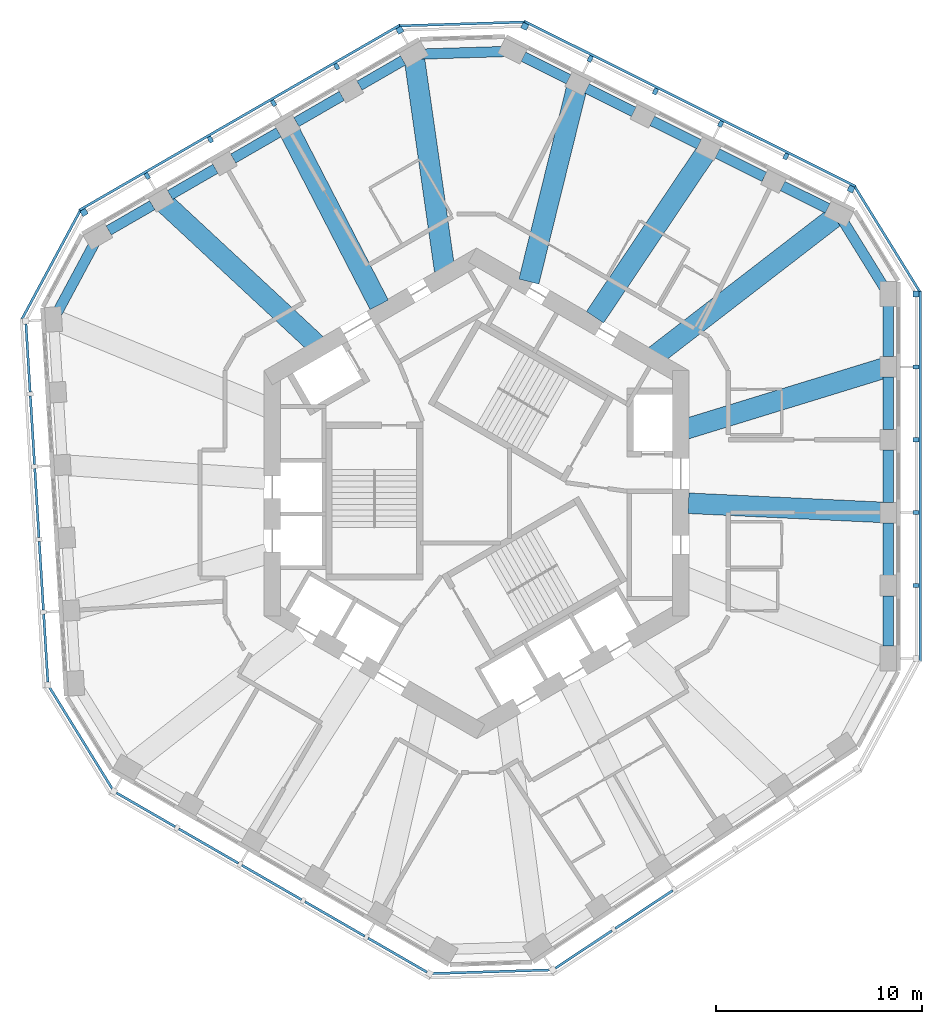
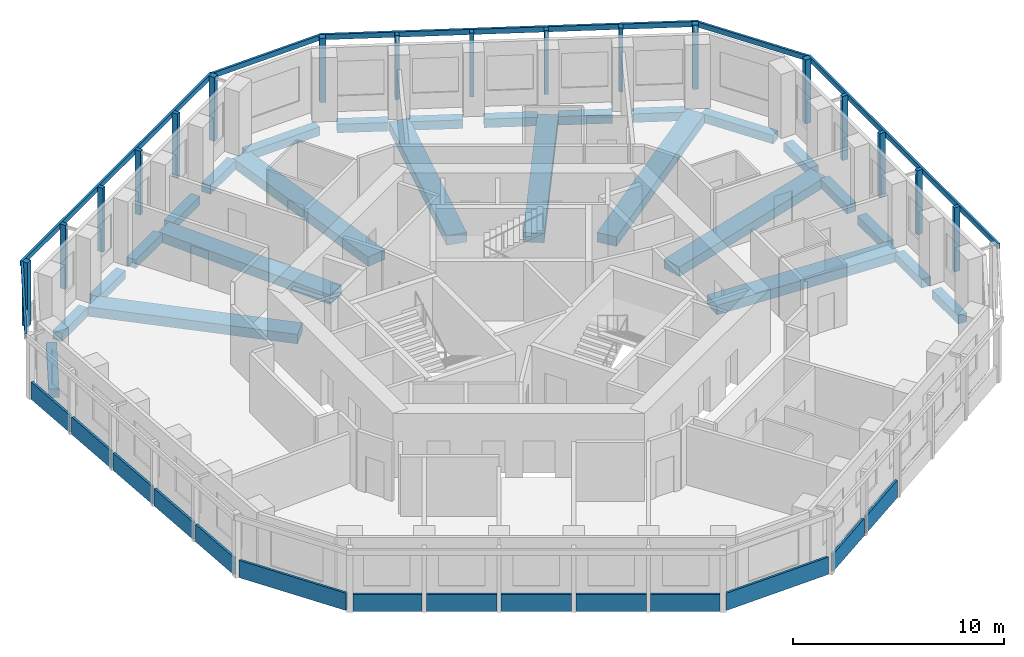
# One storey, part 2 of 11: 26 beams, 23 members, 14 plates, 11 elements without a shape of their own.
"""IFC4 building model written with IfcOpenShell, lengths in metres."""

from ifc_helpers import new_model, si_unit, direction, frame, origin, origin_2d, place, context, subcontext, project, spatial, rectangle, extrude, material, layer, layer_set, material_profile, profile_set, type_object, element, aggregate, save


model = new_model("IFC4")

# Units and contexts
model_context = context("Model", 3, precision=1e-05, world=origin(), true_north=direction((0.0, 1.0)))
body_context = subcontext(model_context, "Body", "Model", "MODEL_VIEW")
ifc_project = project(units=[si_unit("LENGTHUNIT", "METRE"), si_unit("AREAUNIT", "SQUARE_METRE"), si_unit("VOLUMEUNIT", "CUBIC_METRE"), si_unit("PLANEANGLEUNIT", "RADIAN"), si_unit("MASSUNIT", "GRAM", prefix="KILO")], contexts=[model_context])

# Site, building, storey
site_placement = place(None, origin())
site = spatial("IfcSite", under=ifc_project, at=site_placement, CompositionType="ELEMENT")
building_placement = place(site_placement, origin())
building = spatial("IfcBuilding", under=site, at=building_placement, Name="Vanh Sen Convention Tower", CompositionType="ELEMENT")
storey_placement = place(building_placement, frame((0.0, 0.0, 225.39990234375)))
storey = spatial("IfcBuildingStorey", under=building, at=storey_placement, Name="L55", CompositionType="ELEMENT", Elevation=225.39990234375)

# Curtain wall, member
ifc_material_1 = material(Name="Concrete C50/60", Category="concrete")
curtain_wall_type = type_object("IfcCurtainWallType", Name="Outer skin office zone", PredefinedType="NOTDEFINED", material=ifc_material_1)
curtain_wall_1_placement = place(storey_placement, origin())
curtain_wall_1 = element("IfcCurtainWall", 1, at=curtain_wall_1_placement, inside=storey, type_object=curtain_wall_type, Name="OUTER SKIN E L55", PredefinedType="NOTDEFINED")
ifc_material_profile_1 = material_profile(ifc_material_1, rectangle(XDim=0.300048828125, YDim=0.300048828125, at=origin_2d()), Name="Outer skin precast corner fin 300 x 300")
ifc_profile_set_1 = profile_set([ifc_material_profile_1], Name="Concrete C50/60")
member_type_1 = type_object("IfcMemberType", Name="Outer skin precast corner fin 300 x 300", PredefinedType="MULLION", material=ifc_profile_set_1)
member_1_placement = place(storey_placement, frame((21.300048828125, 9.665283203125, 0.0), z_axis=(0.0, 0.0, 1.0), x_axis=(0.0, 1.0, 0.0)))
member_1 = element("IfcMember", 2, at=member_1_placement, type_object=member_type_1, Name="OUTER SKIN CORNER FIN 6 E L55", PredefinedType="MULLION", context=body_context, shape_type="SweptSolid", body=[
    extrude(rectangle(XDim=0.300048828125, YDim=0.300048828125, at=origin_2d()), origin(), (0.0, 0.0, 1.0), 3.7001953125),
])

# Curtain wall, members
curtain_wall_2_placement = place(storey_placement, origin())
curtain_wall_2 = element("IfcCurtainWall", 3, at=curtain_wall_2_placement, inside=storey, type_object=curtain_wall_type, Name="OUTER SKIN NE L55", PredefinedType="NOTDEFINED")
member_2_placement = place(storey_placement, frame((18.15380859375, 14.74951171875, 0.0), z_axis=(0.0, 0.0, 1.0), x_axis=(-0.894934361602, 0.44619781311, 0.0)))
member_2 = element("IfcMember", 4, at=member_2_placement, type_object=member_type_1, Name="OUTER SKIN CORNER FIN 1 NE L55", PredefinedType="MULLION", context=body_context, shape_type="SweptSolid", body=[
    extrude(rectangle(XDim=0.300048828125, YDim=0.300048828125, at=origin_2d()), origin(), (0.0, 0.0, 1.0), 3.7001953125),
])
member_3_placement = place(storey_placement, frame((2.342041015625, 22.633056640625, 0.0), z_axis=(0.0, 0.0, 1.0), x_axis=(-0.894934361602, 0.44619781311, 0.0)))
member_3 = element("IfcMember", 5, at=member_3_placement, type_object=member_type_1, Name="OUTER SKIN CORNER FIN 6 NE L55", PredefinedType="MULLION", context=body_context, shape_type="SweptSolid", body=[
    extrude(rectangle(XDim=0.300048828125, YDim=0.300048828125, at=origin_2d()), origin(), (0.0, 0.0, 1.0), 3.7001953125),
])

curtain_wall_3_placement = place(storey_placement, origin())
curtain_wall_3 = element("IfcCurtainWall", 6, at=curtain_wall_3_placement, inside=storey, type_object=curtain_wall_type, Name="OUTER SKIN NW L55", PredefinedType="NOTDEFINED")
member_4_placement = place(storey_placement, frame((-3.719482421875, 22.44775390625, 0.0), z_axis=(0.0, 0.0, 1.0), x_axis=(-0.866025403784, -0.5, 0.0)))
member_4 = element("IfcMember", 7, at=member_4_placement, type_object=member_type_1, Name="OUTER SKIN CORNER FIN 1 NW L55", PredefinedType="MULLION", context=body_context, shape_type="SweptSolid", body=[
    extrude(rectangle(XDim=0.300048828125, YDim=0.300048828125, at=origin_2d()), origin(), (0.0, 0.0, 1.0), 3.7001953125),
])
member_5_placement = place(storey_placement, frame((-19.0205078125, 13.613525390625, 0.0), z_axis=(0.0, 0.0, 1.0), x_axis=(-0.866025403784, -0.5, 0.0)))
member_5 = element("IfcMember", 8, at=member_5_placement, type_object=member_type_1, Name="OUTER SKIN CORNER FIN 6 NW L55", PredefinedType="MULLION", context=body_context, shape_type="SweptSolid", body=[
    extrude(rectangle(XDim=0.300048828125, YDim=0.300048828125, at=origin_2d()), origin(), (0.0, 0.0, 1.0), 3.7001953125),
])

# Member
ifc_material_profile_2 = material_profile(ifc_material_1, rectangle(XDim=0.199951171875, YDim=0.300048828125, at=origin_2d()), Name="Outer skin precast fin 200 x 300")
ifc_profile_set_2 = profile_set([ifc_material_profile_2], Name="Concrete C50/60")
member_type_2 = type_object("IfcMemberType", Name="Outer skin precast fin 200 x 300", PredefinedType="MULLION", material=ifc_profile_set_2)
member_6_placement = place(storey_placement, frame((21.300048828125, -4.46923828125, 0.0), z_axis=(0.0, 0.0, 1.0), x_axis=(0.0, 1.0, 0.0)))
member_6 = element("IfcMember", 9, at=member_6_placement, type_object=member_type_2, Name="OUTER SKIN fin 2 E L55", PredefinedType="MULLION", context=body_context, shape_type="SweptSolid", body=[
    extrude(rectangle(XDim=0.199951171875, YDim=0.300048828125, at=origin_2d()), origin(), (0.0, 0.0, 1.0), 3.7001953125),
])

member_7_placement = place(storey_placement, frame((21.300048828125, -0.935546875, 0.0), z_axis=(0.0, 0.0, 1.0), x_axis=(0.0, 1.0, 0.0)))
member_7 = element("IfcMember", 10, at=member_7_placement, type_object=member_type_2, Name="OUTER SKIN fin 3 E L55", PredefinedType="MULLION", context=body_context, shape_type="SweptSolid", body=[
    extrude(rectangle(XDim=0.199951171875, YDim=0.300048828125, at=origin_2d()), origin(), (0.0, 0.0, 1.0), 3.7001953125),
])

member_8_placement = place(storey_placement, frame((21.300048828125, 2.59814453125, 0.0), z_axis=(0.0, 0.0, 1.0), x_axis=(0.0, 1.0, 0.0)))
member_8 = element("IfcMember", 11, at=member_8_placement, type_object=member_type_2, Name="OUTER SKIN fin 4 E L55", PredefinedType="MULLION", context=body_context, shape_type="SweptSolid", body=[
    extrude(rectangle(XDim=0.199951171875, YDim=0.300048828125, at=origin_2d()), origin(), (0.0, 0.0, 1.0), 3.7001953125),
])

member_9_placement = place(storey_placement, frame((21.300048828125, 6.131591796875, 0.0), z_axis=(0.0, 0.0, 1.0), x_axis=(0.0, 1.0, 0.0)))
member_9 = element("IfcMember", 12, at=member_9_placement, type_object=member_type_2, Name="OUTER SKIN fin 5 E L55", PredefinedType="MULLION", context=body_context, shape_type="SweptSolid", body=[
    extrude(rectangle(XDim=0.199951171875, YDim=0.300048828125, at=origin_2d()), origin(), (0.0, 0.0, 1.0), 3.7001953125),
])

member_10_placement = place(storey_placement, frame((14.99169921875, 16.326171875, 0.0), z_axis=(0.0, 0.0, 1.0), x_axis=(-0.894934361602, 0.44619781311, 0.0)))
member_10 = element("IfcMember", 13, at=member_10_placement, type_object=member_type_2, Name="OUTER SKIN fin 2 NE L55", PredefinedType="MULLION", context=body_context, shape_type="SweptSolid", body=[
    extrude(rectangle(XDim=0.199951171875, YDim=0.300048828125, at=origin_2d()), origin(), (0.0, 0.0, 1.0), 3.7001953125),
])

member_11_placement = place(storey_placement, frame((11.8291015625, 17.90283203125, 0.0), z_axis=(0.0, 0.0, 1.0), x_axis=(-0.894934361602, 0.44619781311, 0.0)))
member_11 = element("IfcMember", 14, at=member_11_placement, type_object=member_type_2, Name="OUTER SKIN fin 3 NE L55", PredefinedType="MULLION", context=body_context, shape_type="SweptSolid", body=[
    extrude(rectangle(XDim=0.199951171875, YDim=0.300048828125, at=origin_2d()), origin(), (0.0, 0.0, 1.0), 3.7001953125),
])

member_12_placement = place(storey_placement, frame((8.666748046875, 19.4794921875, 0.0), z_axis=(0.0, 0.0, 1.0), x_axis=(-0.894934361602, 0.44619781311, 0.0)))
member_12 = element("IfcMember", 15, at=member_12_placement, type_object=member_type_2, Name="OUTER SKIN fin 4 NE L55", PredefinedType="MULLION", context=body_context, shape_type="SweptSolid", body=[
    extrude(rectangle(XDim=0.199951171875, YDim=0.300048828125, at=origin_2d()), origin(), (0.0, 0.0, 1.0), 3.7001953125),
])

member_13_placement = place(storey_placement, frame((5.50439453125, 21.056396484375, 0.0), z_axis=(0.0, 0.0, 1.0), x_axis=(-0.894934361602, 0.44619781311, 0.0)))
member_13 = element("IfcMember", 16, at=member_13_placement, type_object=member_type_2, Name="OUTER SKIN fin 5 NE L55", PredefinedType="MULLION", context=body_context, shape_type="SweptSolid", body=[
    extrude(rectangle(XDim=0.199951171875, YDim=0.300048828125, at=origin_2d()), origin(), (0.0, 0.0, 1.0), 3.7001953125),
])

member_14_placement = place(storey_placement, frame((-6.779541015625, 20.680908203125, 0.0), z_axis=(0.0, 0.0, 1.0), x_axis=(-0.866025403784, -0.5, 0.0)))
member_14 = element("IfcMember", 17, at=member_14_placement, type_object=member_type_2, Name="OUTER SKIN fin 2 NW L55", PredefinedType="MULLION", context=body_context, shape_type="SweptSolid", body=[
    extrude(rectangle(XDim=0.199951171875, YDim=0.300048828125, at=origin_2d()), origin(), (0.0, 0.0, 1.0), 3.7001953125),
])

member_15_placement = place(storey_placement, frame((-9.83984375, 18.9140625, 0.0), z_axis=(0.0, 0.0, 1.0), x_axis=(-0.866025403784, -0.5, 0.0)))
member_15 = element("IfcMember", 18, at=member_15_placement, type_object=member_type_2, Name="OUTER SKIN fin 3 NW L55", PredefinedType="MULLION", context=body_context, shape_type="SweptSolid", body=[
    extrude(rectangle(XDim=0.199951171875, YDim=0.300048828125, at=origin_2d()), origin(), (0.0, 0.0, 1.0), 3.7001953125),
])

member_16_placement = place(storey_placement, frame((-12.89990234375, 17.147216796875, 0.0), z_axis=(0.0, 0.0, 1.0), x_axis=(-0.866025403784, -0.5, 0.0)))
member_16 = element("IfcMember", 19, at=member_16_placement, type_object=member_type_2, Name="OUTER SKIN fin 4 NW L55", PredefinedType="MULLION", context=body_context, shape_type="SweptSolid", body=[
    extrude(rectangle(XDim=0.199951171875, YDim=0.300048828125, at=origin_2d()), origin(), (0.0, 0.0, 1.0), 3.7001953125),
])

member_17_placement = place(storey_placement, frame((-15.960205078125, 15.38037109375, 0.0), z_axis=(0.0, 0.0, 1.0), x_axis=(-0.866025403784, -0.5, 0.0)))
member_17 = element("IfcMember", 20, at=member_17_placement, type_object=member_type_2, Name="OUTER SKIN fin 5 NW L55", PredefinedType="MULLION", context=body_context, shape_type="SweptSolid", body=[
    extrude(rectangle(XDim=0.199951171875, YDim=0.300048828125, at=origin_2d()), origin(), (0.0, 0.0, 1.0), 3.7001953125),
])

ifc_material_profile_3 = material_profile(ifc_material_1, rectangle(XDim=0.1201171875, YDim=0.300048828125, at=origin_2d()), Name="Outer skin precast spandrel band 300 x 120")
ifc_profile_set_3 = profile_set([ifc_material_profile_3], Name="Concrete C50/60")
member_type_3 = type_object("IfcMemberType", Name="Outer skin precast spandrel band 300 x 120", PredefinedType="USERDEFINED", material=ifc_profile_set_3)
member_18_placement = place(storey_placement, frame((21.510009765625, -8.15283203125, 3.550048828125), z_axis=(0.0, 1.0, 0.0), x_axis=(-1.0, 0.0, 0.0)))
member_18 = element("IfcMember", 21, at=member_18_placement, type_object=member_type_3, Name="OUTER SKIN spandrel band E L55", ObjectType="TRANSOM", PredefinedType="USERDEFINED", context=body_context, shape_type="SweptSolid", body=[
    extrude(rectangle(XDim=0.1201171875, YDim=0.300048828125, at=origin_2d()), origin(), (0.0, 0.0, 1.0), 17.96826171875),
])

aggregate(curtain_wall_1, [member_6, member_7, member_8, member_9, member_1, member_18])

# Curtain wall, member
curtain_wall_4_placement = place(storey_placement, origin())
curtain_wall_4 = element("IfcCurtainWall", 22, at=curtain_wall_4_placement, inside=storey, type_object=curtain_wall_type, Name="OUTER SKIN CH1 L55", PredefinedType="NOTDEFINED")
member_19_placement = place(storey_placement, frame((21.478515625, 9.77587890625, 3.550048828125), z_axis=(-0.526187318786, 0.850368688011, 0.0), x_axis=(-0.850368688011, -0.526187318786, 0.0)))
member_19 = element("IfcMember", 23, at=member_19_placement, type_object=member_type_3, Name="OUTER SKIN spandrel band CH1 L55", ObjectType="TRANSOM", PredefinedType="USERDEFINED", context=body_context, shape_type="SweptSolid", body=[
    extrude(rectangle(XDim=0.1201171875, YDim=0.300048828125, at=origin_2d()), origin(), (0.0, 0.0, 1.0), 5.978759765625),
])
aggregate(curtain_wall_4, [member_19])

# Member
member_20_placement = place(storey_placement, frame((18.3818359375, 14.87060546875, 3.550048828125), z_axis=(-0.894940208367, 0.446186086121, 0.0), x_axis=(-0.446186086121, -0.894940208367, 0.0)))
member_20 = element("IfcMember", 24, at=member_20_placement, type_object=member_type_3, Name="OUTER SKIN spandrel band NE L55", ObjectType="TRANSOM", PredefinedType="USERDEFINED", context=body_context, shape_type="SweptSolid", body=[
    extrude(rectangle(XDim=0.1201171875, YDim=0.300048828125, at=origin_2d()), origin(), (0.0, 0.0, 1.0), 17.968017578125),
])

aggregate(curtain_wall_2, [member_2, member_10, member_11, member_12, member_13, member_3, member_20])

# Curtain wall, member
curtain_wall_5_placement = place(storey_placement, origin())
curtain_wall_5 = element("IfcCurtainWall", 25, at=curtain_wall_5_placement, inside=storey, type_object=curtain_wall_type, Name="OUTER SKIN CH2 L55", PredefinedType="NOTDEFINED")
member_21_placement = place(storey_placement, frame((2.335693359375, 22.843017578125, 3.550048828125), z_axis=(-0.999533054911, -0.030556049165, 0.0), x_axis=(0.030556049165, -0.999533054911, 0.0)))
member_21 = element("IfcMember", 26, at=member_21_placement, type_object=member_type_3, Name="OUTER SKIN spandrel band CH2 L55", ObjectType="TRANSOM", PredefinedType="USERDEFINED", context=body_context, shape_type="SweptSolid", body=[
    extrude(rectangle(XDim=0.1201171875, YDim=0.300048828125, at=origin_2d()), origin(), (0.0, 0.0, 1.0), 6.064453125),
])
aggregate(curtain_wall_5, [member_21])

# Member
member_22_placement = place(storey_placement, frame((-3.694580078125, 22.70458984375, 3.550048828125), z_axis=(-0.866022898019, -0.500004340088, 0.0), x_axis=(0.500004340088, -0.866022898019, 0.0)))
member_22 = element("IfcMember", 27, at=member_22_placement, type_object=member_type_3, Name="OUTER SKIN spandrel band NW L55", ObjectType="TRANSOM", PredefinedType="USERDEFINED", context=body_context, shape_type="SweptSolid", body=[
    extrude(rectangle(XDim=0.1201171875, YDim=0.300048828125, at=origin_2d()), origin(), (0.0, 0.0, 1.0), 17.968017578125),
])

aggregate(curtain_wall_3, [member_4, member_14, member_15, member_16, member_17, member_5, member_22])

# Curtain wall, member
curtain_wall_6_placement = place(storey_placement, origin())
curtain_wall_6 = element("IfcCurtainWall", 28, at=curtain_wall_6_placement, inside=storey, type_object=curtain_wall_type, Name="OUTER SKIN CH3 L55", PredefinedType="NOTDEFINED")
member_23_placement = place(storey_placement, frame((-19.20556640625, 13.712890625, 3.550048828125), z_axis=(-0.473317965247, -0.880891652688, 0.0), x_axis=(0.880891652688, -0.473317965247, 0.0)))
member_23 = element("IfcMember", 29, at=member_23_placement, type_object=member_type_3, Name="OUTER SKIN spandrel band CH3 L55", ObjectType="TRANSOM", PredefinedType="USERDEFINED", context=body_context, shape_type="SweptSolid", body=[
    extrude(rectangle(XDim=0.1201171875, YDim=0.300048828125, at=origin_2d()), origin(), (0.0, 0.0, 1.0), 5.978759765625),
])
aggregate(curtain_wall_6, [member_23])

# Beams
ifc_material_2 = material(Name="Concrete C50/60", Category="concrete")
ifc_material_profile_4 = material_profile(ifc_material_2, rectangle(XDim=1.0, YDim=0.550048828125, at=origin_2d()), Name="RC 1000X550")
ifc_profile_set_4 = profile_set([ifc_material_profile_4], Name="Concrete C50/60")
beam_type_1 = type_object("IfcBeamType", Name="Radial floor beam 1000 x 550", PredefinedType="BEAM", material=ifc_profile_set_4)
beam_1_placement = place(storey_placement, frame((19.943359375, -0.935302734375, -0.554931640625), z_axis=(-0.998901994709, 0.046848745612, 0.0), x_axis=(-0.046848745612, -0.998901994709, 0.0)))
element("IfcBeam", 30, at=beam_1_placement, inside=storey, type_object=beam_type_1, Name="Radial beam 02 L55", PredefinedType="BEAM", context=body_context, shape_type="SweptSolid", body=[
    extrude(rectangle(XDim=1.0, YDim=0.550048828125, at=origin_2d()), origin(), (0.0, 0.0, 1.0), 9.6826171875),
])
beam_2_placement = place(storey_placement, frame((19.883056640625, 6.111083984375, -0.554931640625), z_axis=(-0.955872776135, -0.293780931723, 0.0), x_axis=(0.293780931723, -0.955872776135, 0.0)))
element("IfcBeam", 31, at=beam_2_placement, inside=storey, type_object=beam_type_1, Name="Radial beam 03 L55", PredefinedType="BEAM", context=body_context, shape_type="SweptSolid", body=[
    extrude(rectangle(XDim=1.0, YDim=0.550048828125, at=origin_2d()), origin(), (0.0, 0.0, 1.0), 10.184326171875),
])
beam_3_placement = place(storey_placement, frame((17.395263671875, 13.4208984375, -0.554931640625), z_axis=(-0.791739798035, -0.610858487874, 0.0), x_axis=(0.610858487874, -0.791739798035, 0.0)))
element("IfcBeam", 32, at=beam_3_placement, inside=storey, type_object=beam_type_1, Name="Radial beam 04 L55", PredefinedType="BEAM", context=body_context, shape_type="SweptSolid", body=[
    extrude(rectangle(XDim=1.0, YDim=0.550048828125, at=origin_2d()), origin(), (0.0, 0.0, 1.0), 11.044921875),
])
beam_4_placement = place(storey_placement, frame((11.21142578125, 16.672119140625, -0.554931640625), z_axis=(-0.558028035839, -0.829822096125, 0.0), x_axis=(0.829822096125, -0.558028035839, 0.0)))
element("IfcBeam", 33, at=beam_4_placement, inside=storey, type_object=beam_type_1, Name="Radial beam 05 L55", PredefinedType="BEAM", context=body_context, shape_type="SweptSolid", body=[
    extrude(rectangle(XDim=1.0, YDim=0.550048828125, at=origin_2d()), origin(), (0.0, 0.0, 1.0), 9.80615234375),
])
beam_5_placement = place(storey_placement, frame((4.889892578125, 19.79931640625, -0.554931640625), z_axis=(-0.239768228696, -0.970830158425, 0.0), x_axis=(0.970830158425, -0.239768228696, 0.0)))
element("IfcBeam", 34, at=beam_5_placement, inside=storey, type_object=beam_type_1, Name="Radial beam 06 L55", PredefinedType="BEAM", context=body_context, shape_type="SweptSolid", body=[
    extrude(rectangle(XDim=1.0, YDim=0.550048828125, at=origin_2d()), origin(), (0.0, 0.0, 1.0), 9.822021484375),
])
beam_6_placement = place(storey_placement, frame((-3.012451171875, 21.055419921875, -0.554931640625), z_axis=(0.141625557521, -0.989920300558, 0.0), x_axis=(0.989920300558, 0.141625557521, 0.0)))
element("IfcBeam", 35, at=beam_6_placement, inside=storey, type_object=beam_type_1, Name="Radial beam 07 L55", PredefinedType="BEAM", context=body_context, shape_type="SweptSolid", body=[
    extrude(rectangle(XDim=1.0, YDim=0.550048828125, at=origin_2d()), origin(), (0.0, 0.0, 1.0), 10.37744140625),
])
beam_7_placement = place(storey_placement, frame((-9.161865234375, 17.7392578125, -0.554931640625), z_axis=(0.458894668363, -0.888490677131, 0.0), x_axis=(0.888490677131, 0.458894668363, 0.0)))
element("IfcBeam", 36, at=beam_7_placement, inside=storey, type_object=beam_type_1, Name="Radial beam 08 L55", PredefinedType="BEAM", context=body_context, shape_type="SweptSolid", body=[
    extrude(rectangle(XDim=1.0, YDim=0.550048828125, at=origin_2d()), origin(), (0.0, 0.0, 1.0), 9.682861328125),
])
beam_8_placement = place(storey_placement, frame((-15.23388671875, 14.16357421875, -0.554931640625), z_axis=(0.732361312651, -0.680916226662, 0.0), x_axis=(0.680916226662, 0.732361312651, 0.0)))
element("IfcBeam", 37, at=beam_8_placement, inside=storey, type_object=beam_type_1, Name="Radial beam 09 L55", PredefinedType="BEAM", context=body_context, shape_type="SweptSolid", body=[
    extrude(rectangle(XDim=1.0, YDim=0.550048828125, at=origin_2d()), origin(), (0.0, 0.0, 1.0), 10.18408203125),
])
ifc_material_profile_5 = material_profile(ifc_material_2, rectangle(XDim=0.5, YDim=0.5, at=origin_2d()), Name="RC 500X500")
ifc_profile_set_5 = profile_set([ifc_material_profile_5], Name="Concrete C50/60")
beam_type_2 = type_object("IfcBeamType", Name="Spandrel beam 500 x 500", PredefinedType="SPANDREL", material=ifc_profile_set_5)
beam_9_placement = place(storey_placement, frame((19.949951171875, -7.40771484375, -0.52978515625), z_axis=(0.0, 1.0, 0.0), x_axis=(-1.0, 0.0, 0.0)))
element("IfcBeam", 38, at=beam_9_placement, inside=storey, type_object=beam_type_2, Name="Spandrel beam 01 L55", PredefinedType="SPANDREL", context=body_context, shape_type="SweptSolid", body=[
    extrude(rectangle(XDim=0.5, YDim=0.5, at=origin_2d()), origin(), (0.0, 0.0, 1.0), 2.443603515625),
])
beam_10_placement = place(storey_placement, frame((19.949951171875, -3.97412109375, -0.52978515625), z_axis=(0.0, 1.0, 0.0), x_axis=(-1.0, 0.0, 0.0)))
element("IfcBeam", 39, at=beam_10_placement, inside=storey, type_object=beam_type_2, Name="Spandrel beam 02 L55", PredefinedType="SPANDREL", context=body_context, shape_type="SweptSolid", body=[
    extrude(rectangle(XDim=0.5, YDim=0.5, at=origin_2d()), origin(), (0.0, 0.0, 1.0), 2.543701171875),
])
beam_11_placement = place(storey_placement, frame((19.949951171875, -0.4404296875, -0.52978515625), z_axis=(0.0, 1.0, 0.0), x_axis=(-1.0, 0.0, 0.0)))
element("IfcBeam", 40, at=beam_11_placement, inside=storey, type_object=beam_type_2, Name="Spandrel beam 03 L55", PredefinedType="SPANDREL", context=body_context, shape_type="SweptSolid", body=[
    extrude(rectangle(XDim=0.5, YDim=0.5, at=origin_2d()), origin(), (0.0, 0.0, 1.0), 2.54345703125),
])
beam_12_placement = place(storey_placement, frame((19.949951171875, 3.093017578125, -0.52978515625), z_axis=(0.0, 1.0, 0.0), x_axis=(-1.0, 0.0, 0.0)))
element("IfcBeam", 41, at=beam_12_placement, inside=storey, type_object=beam_type_2, Name="Spandrel beam 04 L55", PredefinedType="SPANDREL", context=body_context, shape_type="SweptSolid", body=[
    extrude(rectangle(XDim=0.5, YDim=0.5, at=origin_2d()), origin(), (0.0, 0.0, 1.0), 2.543701171875),
])
beam_13_placement = place(storey_placement, frame((19.949951171875, 6.626708984375, -0.52978515625), z_axis=(0.0, 1.0, 0.0), x_axis=(-1.0, 0.0, 0.0)))
element("IfcBeam", 42, at=beam_13_placement, inside=storey, type_object=beam_type_2, Name="Spandrel beam 05 L55", PredefinedType="SPANDREL", context=body_context, shape_type="SweptSolid", body=[
    extrude(rectangle(XDim=0.5, YDim=0.5, at=origin_2d()), origin(), (0.0, 0.0, 1.0), 2.443603515625),
])
beam_14_placement = place(storey_placement, frame((19.76513671875, 9.964111328125, -0.52978515625), z_axis=(-0.526208550267, 0.850355550124, 0.0), x_axis=(-0.850355550124, -0.526208550267, 0.0)))
element("IfcBeam", 43, at=beam_14_placement, inside=storey, type_object=beam_type_2, Name="Spandrel beam 06 L55", PredefinedType="SPANDREL", context=body_context, shape_type="SweptSolid", body=[
    extrude(rectangle(XDim=0.5, YDim=0.5, at=origin_2d()), origin(), (0.0, 0.0, 1.0), 3.85546875),
])
beam_15_placement = place(storey_placement, frame((17.01904296875, 13.806884765625, -0.52978515625), z_axis=(-0.894926200996, 0.446214180378, 0.0), x_axis=(-0.446214180378, -0.894926200996, 0.0)))
element("IfcBeam", 44, at=beam_15_placement, inside=storey, type_object=beam_type_2, Name="Spandrel beam 07 L55", PredefinedType="SPANDREL", context=body_context, shape_type="SweptSolid", body=[
    extrude(rectangle(XDim=0.5, YDim=0.5, at=origin_2d()), origin(), (0.0, 0.0, 1.0), 2.443603515625),
])
for number, where, z_axis, x_axis, name in (
    (45, (13.9462890625, 15.3388671875, -0.52978515625), (-0.894925734573, 0.446215115834, 0.0), (-0.446215115834, -0.894925734573, 0.0), "Spandrel beam 08 L55"),
    (46, (10.78369140625, 16.91552734375, -0.52978515625), (-0.894925734573, 0.446215115834, 0.0), (-0.446215115834, -0.894925734573, 0.0), "Spandrel beam 09 L55"),
    (47, (7.621337890625, 18.4921875, -0.52978515625), (-0.894925734573, 0.446215115834, 0.0), (-0.446215115834, -0.894925734573, 0.0), "Spandrel beam 10 L55"),
):
    element("IfcBeam", number, at=place(storey_placement, frame(where, z_axis=z_axis, x_axis=x_axis)), inside=storey, type_object=beam_type_2, Name=name, PredefinedType="SPANDREL", context=body_context, shape_type="SweptSolid", body=[
        extrude(rectangle(XDim=0.5, YDim=0.5, at=origin_2d()), origin(), (0.0, 0.0, 1.0), 2.543701171875),
    ])
beam_16_placement = place(storey_placement, frame((4.458984375, 20.069091796875, -0.52978515625), z_axis=(-0.894966097575, 0.446134154926, 0.0), x_axis=(-0.446134154926, -0.894966097575, 0.0)))
element("IfcBeam", 48, at=beam_16_placement, inside=storey, type_object=beam_type_2, Name="Spandrel beam 11 L55", PredefinedType="SPANDREL", context=body_context, shape_type="SweptSolid", body=[
    extrude(rectangle(XDim=0.5, YDim=0.5, at=origin_2d()), origin(), (0.0, 0.0, 1.0), 2.443359375),
])
beam_17_placement = place(storey_placement, frame((1.364990234375, 21.413330078125, -0.52978515625), z_axis=(-0.999533490256, -0.030541805081, 0.0), x_axis=(0.030541805081, -0.999533490256, 0.0)))
element("IfcBeam", 49, at=beam_17_placement, inside=storey, type_object=beam_type_2, Name="Spandrel beam 12 L55", PredefinedType="SPANDREL", context=body_context, shape_type="SweptSolid", body=[
    extrude(rectangle(XDim=0.5, YDim=0.5, at=origin_2d()), origin(), (0.0, 0.0, 1.0), 4.036865234375),
])
beam_18_placement = place(storey_placement, frame((-3.559814453125, 20.981201171875, -0.52978515625), z_axis=(-0.865977582417, -0.500082819891, 0.0), x_axis=(0.500082819891, -0.865977582417, 0.0)))
element("IfcBeam", 50, at=beam_18_placement, inside=storey, type_object=beam_type_2, Name="Spandrel beam 13 L55", PredefinedType="SPANDREL", context=body_context, shape_type="SweptSolid", body=[
    extrude(rectangle(XDim=0.5, YDim=0.5, at=origin_2d()), origin(), (0.0, 0.0, 1.0), 2.443359375),
])
for number, where, z_axis, x_axis, name in (
    (51, (-6.533203125, 19.264404296875, -0.52978515625), (-0.866001775466, -0.500040923216, 0.0), (0.500040923216, -0.866001775466, 0.0), "Spandrel beam 14 L55"),
    (52, (-9.593505859375, 17.49755859375, -0.52978515625), (-0.866001775466, -0.500040923216, 0.0), (0.500040923216, -0.866001775466, 0.0), "Spandrel beam 15 L55"),
):
    element("IfcBeam", number, at=place(storey_placement, frame(where, z_axis=z_axis, x_axis=x_axis)), inside=storey, type_object=beam_type_2, Name=name, PredefinedType="SPANDREL", context=body_context, shape_type="SweptSolid", body=[
        extrude(rectangle(XDim=0.5, YDim=0.5, at=origin_2d()), origin(), (0.0, 0.0, 1.0), 2.543701171875),
    ])
beam_19_placement = place(storey_placement, frame((-12.65380859375, 15.730712890625, -0.52978515625), z_axis=(-0.865977774259, -0.500082487685, 0.0), x_axis=(0.500082487685, -0.865977774259, 0.0)))
element("IfcBeam", 53, at=beam_19_placement, inside=storey, type_object=beam_type_2, Name="Spandrel beam 16 L55", PredefinedType="SPANDREL", context=body_context, shape_type="SweptSolid", body=[
    extrude(rectangle(XDim=0.5, YDim=0.5, at=origin_2d()), origin(), (0.0, 0.0, 1.0), 2.54345703125),
])
beam_20_placement = place(storey_placement, frame((-15.7138671875, 13.9638671875, -0.52978515625), z_axis=(-0.866002566612, -0.500039553057, 0.0), x_axis=(0.500039553057, -0.866002566612, 0.0)))
element("IfcBeam", 54, at=beam_20_placement, inside=storey, type_object=beam_type_2, Name="Spandrel beam 17 L55", PredefinedType="SPANDREL", context=body_context, shape_type="SweptSolid", body=[
    extrude(rectangle(XDim=0.5, YDim=0.5, at=origin_2d()), origin(), (0.0, 0.0, 1.0), 2.443603515625),
])
beam_21_placement = place(storey_placement, frame((-18.51171875, 12.13525390625, -0.52978515625), z_axis=(-0.473310467163, -0.880895681494, 0.0), x_axis=(0.880895681494, -0.473310467163, 0.0)))
element("IfcBeam", 55, at=beam_21_placement, inside=storey, type_object=beam_type_2, Name="Spandrel beam 18 L55", PredefinedType="SPANDREL", context=body_context, shape_type="SweptSolid", body=[
    extrude(rectangle(XDim=0.5, YDim=0.5, at=origin_2d()), origin(), (0.0, 0.0, 1.0), 3.855712890625),
])

# Curtain wall, plates
curtain_wall_7_placement = place(storey_placement, origin())
curtain_wall_7 = element("IfcCurtainWall", 56, at=curtain_wall_7_placement, inside=storey, type_object=curtain_wall_type, Name="OUTER SKIN W L55", PredefinedType="NOTDEFINED")
ifc_layer = layer(ifc_material_1, 0.1201171875)
ifc_layer_set = layer_set([ifc_layer], Name="Concrete C50/60")
plate_type = type_object("IfcPlateType", Name="Outer skin precast screen panel 120", PredefinedType="CURTAIN_PANEL", material=ifc_layer_set)
plate_1_placement = place(storey_placement, frame((-21.740966796875, 6.55859375, 0.0), z_axis=(0.0, 0.0, 1.0), x_axis=(0.061043313312, -0.998135118058, 0.0)))
plate_1 = element("IfcPlate", 57, at=plate_1_placement, type_object=plate_type, Name="OUTER SKIN screen panel W-1", PredefinedType="CURTAIN_PANEL", context=body_context, shape_type="SweptSolid", body=[
    extrude(rectangle(XDim=3.28369140625, YDim=0.1201171875, at=origin_2d()), origin(), (0.0, 0.0, 1.0), 1.0),
])
plate_2_placement = place(storey_placement, frame((-21.526611328125, 3.056396484375, 0.0), z_axis=(0.0, 0.0, 1.0), x_axis=(0.061041571238, -0.998135224597, 0.0)))
plate_2 = element("IfcPlate", 58, at=plate_2_placement, type_object=plate_type, Name="OUTER SKIN screen panel W-2", PredefinedType="CURTAIN_PANEL", context=body_context, shape_type="SweptSolid", body=[
    extrude(rectangle(XDim=3.333740234375, YDim=0.1201171875, at=origin_2d()), origin(), (0.0, 0.0, 1.0), 1.0),
])
plate_3_placement = place(storey_placement, frame((-21.31103515625, -0.470703125, 0.0), z_axis=(0.0, 0.0, 1.0), x_axis=(0.061043313312, -0.998135118058, 0.0)))
plate_3 = element("IfcPlate", 59, at=plate_3_placement, type_object=plate_type, Name="OUTER SKIN screen panel W-3", PredefinedType="CURTAIN_PANEL", context=body_context, shape_type="SweptSolid", body=[
    extrude(rectangle(XDim=3.33349609375, YDim=0.1201171875, at=origin_2d()), origin(), (0.0, 0.0, 1.0), 1.0),
])
plate_4_placement = place(storey_placement, frame((-21.09521484375, -3.99755859375, 0.0), z_axis=(0.0, 0.0, 1.0), x_axis=(0.061043313312, -0.998135118058, 0.0)))
plate_4 = element("IfcPlate", 60, at=plate_4_placement, type_object=plate_type, Name="OUTER SKIN screen panel W-4", PredefinedType="CURTAIN_PANEL", context=body_context, shape_type="SweptSolid", body=[
    extrude(rectangle(XDim=3.33349609375, YDim=0.1201171875, at=origin_2d()), origin(), (0.0, 0.0, 1.0), 1.0),
])
plate_5_placement = place(storey_placement, frame((-20.881103515625, -7.499755859375, 0.0), z_axis=(0.0, 0.0, 1.0), x_axis=(0.061069444408, -0.998133519605, 0.0)))
plate_5 = element("IfcPlate", 61, at=plate_5_placement, type_object=plate_type, Name="OUTER SKIN screen panel W-5", PredefinedType="CURTAIN_PANEL", context=body_context, shape_type="SweptSolid", body=[
    extrude(rectangle(XDim=3.28369140625, YDim=0.1201171875, at=origin_2d()), origin(), (0.0, 0.0, 1.0), 1.0),
])
aggregate(curtain_wall_7, [plate_1, plate_2, plate_3, plate_4, plate_5])

# Curtain wall, plate
curtain_wall_8_placement = place(storey_placement, origin())
curtain_wall_8 = element("IfcCurtainWall", 62, at=curtain_wall_8_placement, inside=storey, type_object=curtain_wall_type, Name="OUTER SKIN CH4 L55", PredefinedType="NOTDEFINED")
plate_6_placement = place(storey_placement, frame((-19.176025390625, -11.86669921875, 0.0), z_axis=(0.0, 0.0, 1.0), x_axis=(0.526215407796, -0.850351306578, 0.0)))
plate_6 = element("IfcPlate", 63, at=plate_6_placement, type_object=plate_type, Name="OUTER SKIN screen panel CH4-1", PredefinedType="CURTAIN_PANEL", context=body_context, shape_type="SweptSolid", body=[
    extrude(rectangle(XDim=5.76416015625, YDim=0.1201171875, at=origin_2d()), origin(), (0.0, 0.0, 1.0), 1.0),
])
aggregate(curtain_wall_8, [plate_6])

# Curtain wall, plates
curtain_wall_9_placement = place(storey_placement, origin())
curtain_wall_9 = element("IfcCurtainWall", 64, at=curtain_wall_9_placement, inside=storey, type_object=curtain_wall_type, Name="OUTER SKIN SW L55", PredefinedType="NOTDEFINED")
plate_7_placement = place(storey_placement, frame((-16.02880859375, -15.3408203125, 0.0), z_axis=(0.0, 0.0, 1.0), x_axis=(0.866026276448, -0.4999984885, 0.0)))
plate_7 = element("IfcPlate", 65, at=plate_7_placement, type_object=plate_type, Name="OUTER SKIN screen panel SW-1", PredefinedType="CURTAIN_PANEL", context=body_context, shape_type="SweptSolid", body=[
    extrude(rectangle(XDim=3.28369140625, YDim=0.1201171875, at=origin_2d()), origin(), (0.0, 0.0, 1.0), 1.0),
])
plate_8_placement = place(storey_placement, frame((-12.990234375, -17.09521484375, 0.0), z_axis=(0.0, 0.0, 1.0), x_axis=(0.866026276448, -0.4999984885, 0.0)))
plate_8 = element("IfcPlate", 66, at=plate_8_placement, type_object=plate_type, Name="OUTER SKIN screen panel SW-2", PredefinedType="CURTAIN_PANEL", context=body_context, shape_type="SweptSolid", body=[
    extrude(rectangle(XDim=3.33349609375, YDim=0.1201171875, at=origin_2d()), origin(), (0.0, 0.0, 1.0), 1.0),
])
plate_9_placement = place(storey_placement, frame((-9.93017578125, -18.862060546875, 0.0), z_axis=(0.0, 0.0, 1.0), x_axis=(0.866014058921, -0.500019649364, 0.0)))
plate_9 = element("IfcPlate", 67, at=plate_9_placement, type_object=plate_type, Name="OUTER SKIN screen panel SW-3", PredefinedType="CURTAIN_PANEL", context=body_context, shape_type="SweptSolid", body=[
    extrude(rectangle(XDim=3.333740234375, YDim=0.1201171875, at=origin_2d()), origin(), (0.0, 0.0, 1.0), 1.0),
])
plate_10_placement = place(storey_placement, frame((-6.869873046875, -20.62890625, 0.0), z_axis=(0.0, 0.0, 1.0), x_axis=(0.866026276448, -0.4999984885, 0.0)))
plate_10 = element("IfcPlate", 68, at=plate_10_placement, type_object=plate_type, Name="OUTER SKIN screen panel SW-4", PredefinedType="CURTAIN_PANEL", context=body_context, shape_type="SweptSolid", body=[
    extrude(rectangle(XDim=3.33349609375, YDim=0.1201171875, at=origin_2d()), origin(), (0.0, 0.0, 1.0), 1.0),
])
plate_11_placement = place(storey_placement, frame((-3.831298828125, -22.383056640625, 0.0), z_axis=(0.0, 0.0, 1.0), x_axis=(0.866033257659, -0.499986396443, 0.0)))
plate_11 = element("IfcPlate", 69, at=plate_11_placement, type_object=plate_type, Name="OUTER SKIN screen panel SW-5", PredefinedType="CURTAIN_PANEL", context=body_context, shape_type="SweptSolid", body=[
    extrude(rectangle(XDim=3.28369140625, YDim=0.1201171875, at=origin_2d()), origin(), (0.0, 0.0, 1.0), 1.0),
])
aggregate(curtain_wall_9, [plate_7, plate_8, plate_9, plate_10, plate_11])

# Curtain wall, plate
curtain_wall_10_placement = place(storey_placement, origin())
curtain_wall_10 = element("IfcCurtainWall", 70, at=curtain_wall_10_placement, inside=storey, type_object=curtain_wall_type, Name="OUTER SKIN CH5 L55", PredefinedType="NOTDEFINED")
plate_12_placement = place(storey_placement, frame((0.70849609375, -23.187744140625, 0.0), z_axis=(0.0, 0.0, 1.0), x_axis=(0.999533537535, 0.030540257725, 0.0)))
plate_12 = element("IfcPlate", 71, at=plate_12_placement, type_object=plate_type, Name="OUTER SKIN screen panel CH5-1", PredefinedType="CURTAIN_PANEL", context=body_context, shape_type="SweptSolid", body=[
    extrude(rectangle(XDim=5.6787109375, YDim=0.1201171875, at=origin_2d()), origin(), (0.0, 0.0, 1.0), 1.0),
])
aggregate(curtain_wall_10, [plate_12])

# Curtain wall, plates
curtain_wall_11_placement = place(storey_placement, origin())
curtain_wall_11 = element("IfcCurtainWall", 72, at=curtain_wall_11_placement, inside=storey, type_object=curtain_wall_type, Name="OUTER SKIN SE L55", PredefinedType="NOTDEFINED")
plate_13_placement = place(storey_placement, frame((5.190673828125, -22.107421875, 0.0), z_axis=(0.0, 0.0, 1.0), x_axis=(0.833896418343, 0.551920975752, 0.0)))
plate_13 = element("IfcPlate", 73, at=plate_13_placement, type_object=plate_type, Name="OUTER SKIN screen panel SE-1", PredefinedType="CURTAIN_PANEL", context=body_context, shape_type="SweptSolid", body=[
    extrude(rectangle(XDim=3.28369140625, YDim=0.1201171875, at=origin_2d()), origin(), (0.0, 0.0, 1.0), 1.0),
])
plate_14_placement = place(storey_placement, frame((8.116455078125, -20.1708984375, 0.0), z_axis=(0.0, 0.0, 1.0), x_axis=(0.833874262143, 0.551954450055, 0.0)))
plate_14 = element("IfcPlate", 74, at=plate_14_placement, type_object=plate_type, Name="OUTER SKIN screen panel SE-2", PredefinedType="CURTAIN_PANEL", context=body_context, shape_type="SweptSolid", body=[
    extrude(rectangle(XDim=3.33349609375, YDim=0.1201171875, at=origin_2d()), origin(), (0.0, 0.0, 1.0), 1.0),
])
aggregate(curtain_wall_11, [plate_13, plate_14])

save(model, "model.ifc")
